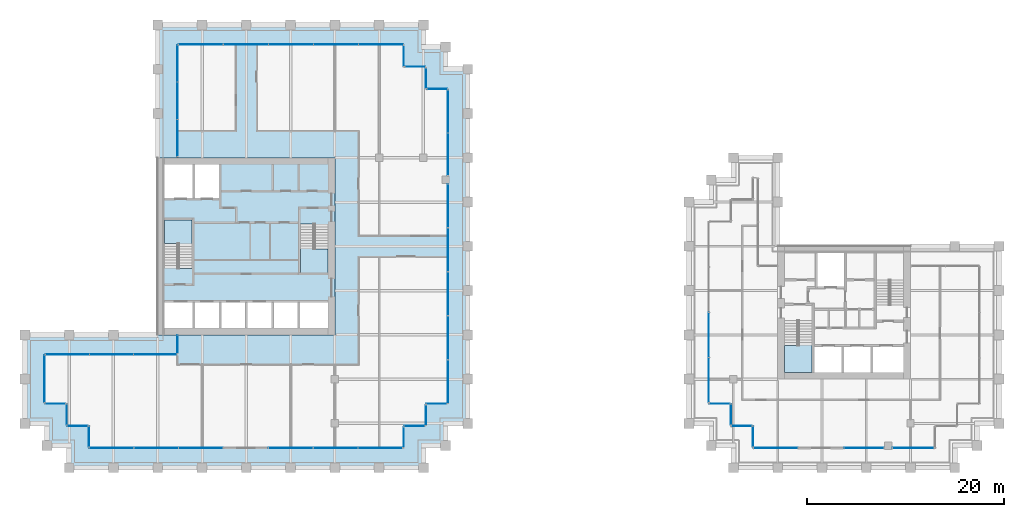
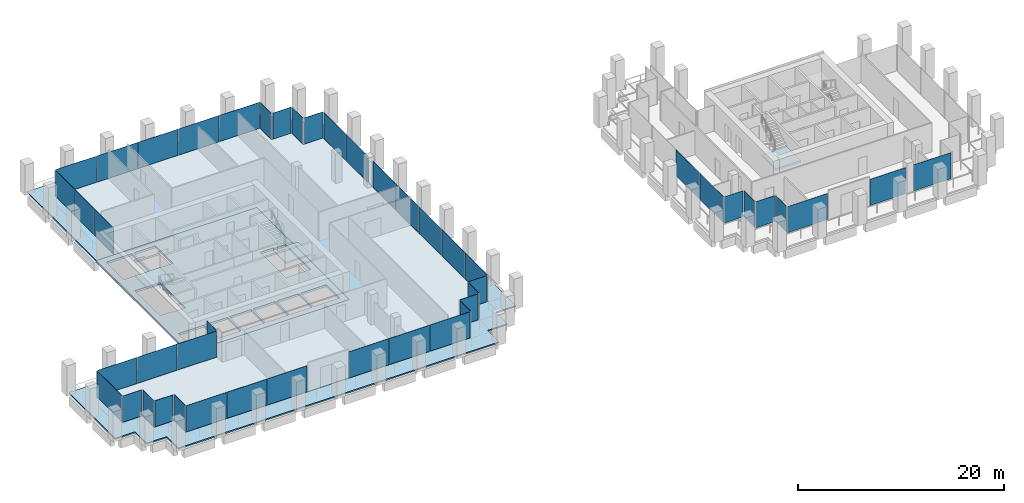
# One storey, part 39 of 46: 47 plates, 6 slabs, 32 elements without a shape of their own.
"""IFC4 building model written with IfcOpenShell, lengths in metres."""

from ifc_helpers import new_model, si_unit, direction, frame, origin, origin_2d, place, context, subcontext, project, spatial, polyline, rectangle, outline, extrude, material, layer, layer_set, type_object, element, aggregate, save


model = new_model("IFC4")

# Units and contexts
model_context = context("Model", 3, precision=1e-05, world=origin(), true_north=direction((0.0, 1.0)))
body_context = subcontext(model_context, "Body", "Model", "MODEL_VIEW")
ifc_project = project(units=[si_unit("LENGTHUNIT", "METRE"), si_unit("AREAUNIT", "SQUARE_METRE"), si_unit("VOLUMEUNIT", "CUBIC_METRE"), si_unit("PLANEANGLEUNIT", "RADIAN"), si_unit("MASSUNIT", "GRAM", prefix="KILO")], contexts=[model_context])

# Site, building, storey
site_placement = place(None, origin())
site = spatial("IfcSite", under=ifc_project, at=site_placement, CompositionType="ELEMENT")
building_placement = place(site_placement, origin())
building = spatial("IfcBuilding", under=site, at=building_placement, Name="Altepetl Exchange Towers", CompositionType="ELEMENT")
storey_placement = place(building_placement, frame((0.0, 0.0, 106.39990234375)))
storey = spatial("IfcBuildingStorey", under=building, at=storey_placement, Name="L26", CompositionType="ELEMENT", Elevation=106.39990234375)

# Slabs
ifc_material_1 = material(Name="Concrete C40/50", Category="concrete")
ifc_layer_1 = layer(ifc_material_1, 0.14990234375)
ifc_layer_set_1 = layer_set([ifc_layer_1], Name="Concrete C40/50")
slab_type_1 = type_object("IfcSlabType", Name="Composite floor slab 150", PredefinedType="FLOOR", material=ifc_layer_set_1)
slab_1_placement = place(storey_placement, frame((0.0, 0.0, -0.14990234375)))
element("IfcSlab", 1, at=slab_1_placement, inside=storey, type_object=slab_type_1, Name="slab:A:L26:strip0", PredefinedType="FLOOR", context=body_context, shape_type="SweptSolid", body=[
    extrude(outline(polyline([(42.5, 70.0), (42.5, 58.5), (58.5, 58.5), (58.5, 40.5), (42.5, 40.5), (42.5, 38.5), (29.0, 38.5), (29.0, 33.5), (31.25, 33.5), (31.25, 31.25), (33.5, 31.25), (33.5, 29.0), (65.5, 29.0), (65.5, 31.25), (67.75, 31.25), (67.75, 33.5), (70.0, 33.5), (70.0, 65.5), (67.75, 65.5), (67.75, 67.75), (65.5, 67.75), (65.5, 70.0), (42.5, 70.0)])), origin(), (0.0, 0.0, 1.0), 0.14990234375),
])
ifc_layer_2 = layer(ifc_material_1, 0.25)
ifc_layer_set_2 = layer_set([ifc_layer_2], Name="Concrete C40/50")
slab_type_2 = type_object("IfcSlabType", Name="Core floor slab 250", PredefinedType="FLOOR", material=ifc_layer_set_2)
slab_2_placement = place(storey_placement, frame((0.0, 0.0, -0.25)))
element("IfcSlab", 2, at=slab_2_placement, inside=storey, type_object=slab_type_2, Name="slab:A:L26:core0", PredefinedType="FLOOR", context=body_context, shape_type="SweptSolid", body=[
    extrude(outline(polyline([(40.5, 40.5), (58.5, 40.5), (58.5, 58.5), (40.5, 58.5), (40.5, 40.5)]), holes=[polyline([(41.199951171875, 43.800048828125), (44.06689453125, 43.800048828125), (44.06689453125, 41.199951171875), (41.199951171875, 41.199951171875), (41.199951171875, 43.800048828125)]), polyline([(44.26708984375, 43.800048828125), (46.73291015625, 43.800048828125), (46.73291015625, 41.199951171875), (44.26708984375, 41.199951171875), (44.26708984375, 43.800048828125)]), polyline([(46.93310546875, 43.800048828125), (49.39990234375, 43.800048828125), (49.39990234375, 41.199951171875), (46.93310546875, 41.199951171875), (46.93310546875, 43.800048828125)]), polyline([(52.06689453125, 43.800048828125), (52.06689453125, 41.199951171875), (49.60009765625, 41.199951171875), (49.60009765625, 43.800048828125), (52.06689453125, 43.800048828125)]), polyline([(54.73291015625, 43.800048828125), (54.73291015625, 41.199951171875), (52.26708984375, 41.199951171875), (52.26708984375, 43.800048828125), (54.73291015625, 43.800048828125)]), polyline([(54.93310546875, 43.800048828125), (57.800048828125, 43.800048828125), (57.800048828125, 41.199951171875), (54.93310546875, 41.199951171875), (54.93310546875, 43.800048828125)]), polyline([(55.0, 51.7490234375), (56.449951171875, 51.7490234375), (56.449951171875, 51.64990234375), (57.800048828125, 51.64990234375), (57.800048828125, 46.800048828125), (55.0, 46.800048828125), (55.0, 51.7490234375)]), polyline([(44.0, 47.2509765625), (42.550048828125, 47.2509765625), (42.550048828125, 47.35009765625), (41.199951171875, 47.35009765625), (41.199951171875, 52.199951171875), (44.0, 52.199951171875), (44.0, 47.2509765625)]), polyline([(44.06689453125, 57.800048828125), (44.06689453125, 54.39990234375), (41.199951171875, 54.39990234375), (41.199951171875, 57.800048828125), (44.06689453125, 57.800048828125)]), polyline([(46.73291015625, 57.800048828125), (46.73291015625, 54.39990234375), (44.26708984375, 54.39990234375), (44.26708984375, 57.800048828125), (46.73291015625, 57.800048828125)])]), origin(), (0.0, 0.0, 1.0), 0.25),
])

# Curtain wall, plate
ifc_material_2 = material(Name="Aluminium 6063-T6 glazing", Category="aluminium")
curtain_wall_type = type_object("IfcCurtainWallType", Name="Loggia glazing system", PredefinedType="NOTDEFINED", material=ifc_material_2)
curtain_wall_1_placement = place(storey_placement, origin())
curtain_wall_1 = element("IfcCurtainWall", 3, at=curtain_wall_1_placement, inside=storey, type_object=curtain_wall_type, Name="CW1 run", PredefinedType="NOTDEFINED")
ifc_material_3 = material(Name="Glass 6-16-6 low emissivity", Category="glass")
ifc_layer_3 = layer(ifc_material_3, 0.028076171875)
ifc_layer_set_3 = layer_set([ifc_layer_3], Name="Glass 6-16-6 low emissivity")
plate_type = type_object("IfcPlateType", Name="Glass panel 28 double glazed", PredefinedType="CURTAIN_PANEL", material=ifc_layer_set_3)
plate_1_placement = place(storey_placement, frame((42.5, 39.53759765625, 0.0), z_axis=(0.0, 0.0, 1.0), x_axis=(0.0, -1.0, 0.0)))
plate_1 = element("IfcPlate", 4, at=plate_1_placement, type_object=plate_type, Name="GP1 panel", PredefinedType="CURTAIN_PANEL", context=body_context, shape_type="SweptSolid", body=[
    extrude(rectangle(XDim=1.804931640625, YDim=0.028076171875, at=origin_2d()), origin(), (0.0, 0.0, 1.0), 3.10009765625),
])
aggregate(curtain_wall_1, [plate_1])

# Curtain wall, plates
curtain_wall_2_placement = place(storey_placement, origin())
curtain_wall_2 = element("IfcCurtainWall", 5, at=curtain_wall_2_placement, inside=storey, type_object=curtain_wall_type, Name="CW1 run", PredefinedType="NOTDEFINED")
plate_2_placement = place(storey_placement, frame((40.24755859375, 38.5, 0.0), z_axis=(0.0, 0.0, 1.0), x_axis=(-1.0, 0.0, 0.0)))
plate_2 = element("IfcPlate", 6, at=plate_2_placement, type_object=plate_type, Name="GP1 panel", PredefinedType="CURTAIN_PANEL", context=body_context, shape_type="SweptSolid", body=[
    extrude(rectangle(XDim=4.385009765625, YDim=0.028076171875, at=origin_2d()), origin(), (0.0, 0.0, 1.0), 3.10009765625),
])
plate_3_placement = place(storey_placement, frame((35.78759765625, 38.5, 0.0), z_axis=(0.0, 0.0, 1.0), x_axis=(-1.0, 0.0, 0.0)))
plate_3 = element("IfcPlate", 7, at=plate_3_placement, type_object=plate_type, Name="GP1 panel", PredefinedType="CURTAIN_PANEL", context=body_context, shape_type="SweptSolid", body=[
    extrude(rectangle(XDim=4.4150390625, YDim=0.028076171875, at=origin_2d()), origin(), (0.0, 0.0, 1.0), 3.10009765625),
])
plate_4_placement = place(storey_placement, frame((31.327392578125, 38.5, 0.0), z_axis=(0.0, 0.0, 1.0), x_axis=(-1.0, 0.0, 0.0)))
plate_4 = element("IfcPlate", 8, at=plate_4_placement, type_object=plate_type, Name="GP1 panel", PredefinedType="CURTAIN_PANEL", context=body_context, shape_type="SweptSolid", body=[
    extrude(rectangle(XDim=4.385009765625, YDim=0.028076171875, at=origin_2d()), origin(), (0.0, 0.0, 1.0), 3.10009765625),
])
aggregate(curtain_wall_2, [plate_2, plate_3, plate_4])

# Curtain wall, plate
curtain_wall_3_placement = place(storey_placement, origin())
curtain_wall_3 = element("IfcCurtainWall", 9, at=curtain_wall_3_placement, inside=storey, type_object=curtain_wall_type, Name="CW1 run", PredefinedType="NOTDEFINED")
plate_5_placement = place(storey_placement, frame((29.0, 36.03759765625, 0.0), z_axis=(0.0, 0.0, 1.0), x_axis=(0.0, -1.0, 0.0)))
plate_5 = element("IfcPlate", 10, at=plate_5_placement, type_object=plate_type, Name="GP1 panel", PredefinedType="CURTAIN_PANEL", context=body_context, shape_type="SweptSolid", body=[
    extrude(rectangle(XDim=4.804931640625, YDim=0.028076171875, at=origin_2d()), origin(), (0.0, 0.0, 1.0), 3.10009765625),
])
aggregate(curtain_wall_3, [plate_5])

curtain_wall_4_placement = place(storey_placement, origin())
curtain_wall_4 = element("IfcCurtainWall", 11, at=curtain_wall_4_placement, inside=storey, type_object=curtain_wall_type, Name="CW1 run", PredefinedType="NOTDEFINED")
plate_6_placement = place(storey_placement, frame((30.08740234375, 33.5, 0.0)))
plate_6 = element("IfcPlate", 12, at=plate_6_placement, type_object=plate_type, Name="GP1 panel", PredefinedType="CURTAIN_PANEL", context=body_context, shape_type="SweptSolid", body=[
    extrude(rectangle(XDim=2.054931640625, YDim=0.028076171875, at=origin_2d()), origin(), (0.0, 0.0, 1.0), 3.10009765625),
])
aggregate(curtain_wall_4, [plate_6])

curtain_wall_5_placement = place(storey_placement, origin())
curtain_wall_5 = element("IfcCurtainWall", 13, at=curtain_wall_5_placement, inside=storey, type_object=curtain_wall_type, Name="CW1 run", PredefinedType="NOTDEFINED")
plate_7_placement = place(storey_placement, frame((31.25, 32.41259765625, 0.0), z_axis=(0.0, 0.0, 1.0), x_axis=(0.0, -1.0, 0.0)))
plate_7 = element("IfcPlate", 14, at=plate_7_placement, type_object=plate_type, Name="GP1 panel", PredefinedType="CURTAIN_PANEL", context=body_context, shape_type="SweptSolid", body=[
    extrude(rectangle(XDim=2.054931640625, YDim=0.028076171875, at=origin_2d()), origin(), (0.0, 0.0, 1.0), 3.10009765625),
])
aggregate(curtain_wall_5, [plate_7])

curtain_wall_6_placement = place(storey_placement, origin())
curtain_wall_6 = element("IfcCurtainWall", 15, at=curtain_wall_6_placement, inside=storey, type_object=curtain_wall_type, Name="CW1 run", PredefinedType="NOTDEFINED")
plate_8_placement = place(storey_placement, frame((32.33740234375, 31.25, 0.0)))
plate_8 = element("IfcPlate", 16, at=plate_8_placement, type_object=plate_type, Name="GP1 panel", PredefinedType="CURTAIN_PANEL", context=body_context, shape_type="SweptSolid", body=[
    extrude(rectangle(XDim=2.054931640625, YDim=0.028076171875, at=origin_2d()), origin(), (0.0, 0.0, 1.0), 3.10009765625),
])
aggregate(curtain_wall_6, [plate_8])

curtain_wall_7_placement = place(storey_placement, origin())
curtain_wall_7 = element("IfcCurtainWall", 17, at=curtain_wall_7_placement, inside=storey, type_object=curtain_wall_type, Name="CW1 run", PredefinedType="NOTDEFINED")
plate_9_placement = place(storey_placement, frame((33.5, 30.16259765625, 0.0), z_axis=(0.0, 0.0, 1.0), x_axis=(0.0, -1.0, 0.0)))
plate_9 = element("IfcPlate", 18, at=plate_9_placement, type_object=plate_type, Name="GP1 panel", PredefinedType="CURTAIN_PANEL", context=body_context, shape_type="SweptSolid", body=[
    extrude(rectangle(XDim=2.054931640625, YDim=0.028076171875, at=origin_2d()), origin(), (0.0, 0.0, 1.0), 3.10009765625),
])
aggregate(curtain_wall_7, [plate_9])

# Curtain wall, plates
curtain_wall_8_placement = place(storey_placement, origin())
curtain_wall_8 = element("IfcCurtainWall", 19, at=curtain_wall_8_placement, inside=storey, type_object=curtain_wall_type, Name="CW1 run", PredefinedType="NOTDEFINED")
plate_10_placement = place(storey_placement, frame((35.79541015625, 29.0, 0.0)))
plate_10 = element("IfcPlate", 20, at=plate_10_placement, type_object=plate_type, Name="GP1 panel", PredefinedType="CURTAIN_PANEL", context=body_context, shape_type="SweptSolid", body=[
    extrude(rectangle(XDim=4.470703125, YDim=0.028076171875, at=origin_2d()), origin(), (0.0, 0.0, 1.0), 3.10009765625),
])
plate_11_placement = place(storey_placement, frame((40.341064453125, 29.0, 0.0)))
plate_11 = element("IfcPlate", 21, at=plate_11_placement, type_object=plate_type, Name="GP1 panel", PredefinedType="CURTAIN_PANEL", context=body_context, shape_type="SweptSolid", body=[
    extrude(rectangle(XDim=4.500732421875, YDim=0.028076171875, at=origin_2d()), origin(), (0.0, 0.0, 1.0), 3.10009765625),
])
plate_12_placement = place(storey_placement, frame((44.88671875, 29.0, 0.0)))
plate_12 = element("IfcPlate", 22, at=plate_12_placement, type_object=plate_type, Name="GP1 panel", PredefinedType="CURTAIN_PANEL", context=body_context, shape_type="SweptSolid", body=[
    extrude(rectangle(XDim=4.470703125, YDim=0.028076171875, at=origin_2d()), origin(), (0.0, 0.0, 1.0), 3.10009765625),
])
aggregate(curtain_wall_8, [plate_10, plate_11, plate_12])

curtain_wall_9_placement = place(storey_placement, origin())
curtain_wall_9 = element("IfcCurtainWall", 23, at=curtain_wall_9_placement, inside=storey, type_object=curtain_wall_type, Name="CW1 run", PredefinedType="NOTDEFINED")
plate_13_placement = place(storey_placement, frame((54.038330078125, 29.0, 0.0)))
plate_13 = element("IfcPlate", 24, at=plate_13_placement, type_object=plate_type, Name="GP1 panel", PredefinedType="CURTAIN_PANEL", context=body_context, shape_type="SweptSolid", body=[
    extrude(rectangle(XDim=4.470703125, YDim=0.028076171875, at=origin_2d()), origin(), (0.0, 0.0, 1.0), 3.10009765625),
])
plate_14_placement = place(storey_placement, frame((58.583984375, 29.0, 0.0)))
plate_14 = element("IfcPlate", 25, at=plate_14_placement, type_object=plate_type, Name="GP1 panel", PredefinedType="CURTAIN_PANEL", context=body_context, shape_type="SweptSolid", body=[
    extrude(rectangle(XDim=4.500732421875, YDim=0.028076171875, at=origin_2d()), origin(), (0.0, 0.0, 1.0), 3.10009765625),
])
plate_15_placement = place(storey_placement, frame((63.129638671875, 29.0, 0.0)))
plate_15 = element("IfcPlate", 26, at=plate_15_placement, type_object=plate_type, Name="GP1 panel", PredefinedType="CURTAIN_PANEL", context=body_context, shape_type="SweptSolid", body=[
    extrude(rectangle(XDim=4.470703125, YDim=0.028076171875, at=origin_2d()), origin(), (0.0, 0.0, 1.0), 3.10009765625),
])
aggregate(curtain_wall_9, [plate_13, plate_14, plate_15])

# Curtain wall, plate
curtain_wall_10_placement = place(storey_placement, origin())
curtain_wall_10 = element("IfcCurtainWall", 27, at=curtain_wall_10_placement, inside=storey, type_object=curtain_wall_type, Name="CW1 run", PredefinedType="NOTDEFINED")
plate_16_placement = place(storey_placement, frame((65.5, 30.08740234375, 0.0), z_axis=(0.0, 0.0, 1.0), x_axis=(0.0, 1.0, 0.0)))
plate_16 = element("IfcPlate", 28, at=plate_16_placement, type_object=plate_type, Name="GP1 panel", PredefinedType="CURTAIN_PANEL", context=body_context, shape_type="SweptSolid", body=[
    extrude(rectangle(XDim=2.054931640625, YDim=0.028076171875, at=origin_2d()), origin(), (0.0, 0.0, 1.0), 3.10009765625),
])
aggregate(curtain_wall_10, [plate_16])

curtain_wall_11_placement = place(storey_placement, origin())
curtain_wall_11 = element("IfcCurtainWall", 29, at=curtain_wall_11_placement, inside=storey, type_object=curtain_wall_type, Name="CW1 run", PredefinedType="NOTDEFINED")
plate_17_placement = place(storey_placement, frame((66.58740234375, 31.25, 0.0)))
plate_17 = element("IfcPlate", 30, at=plate_17_placement, type_object=plate_type, Name="GP1 panel", PredefinedType="CURTAIN_PANEL", context=body_context, shape_type="SweptSolid", body=[
    extrude(rectangle(XDim=2.054931640625, YDim=0.028076171875, at=origin_2d()), origin(), (0.0, 0.0, 1.0), 3.10009765625),
])
aggregate(curtain_wall_11, [plate_17])

curtain_wall_12_placement = place(storey_placement, origin())
curtain_wall_12 = element("IfcCurtainWall", 31, at=curtain_wall_12_placement, inside=storey, type_object=curtain_wall_type, Name="CW1 run", PredefinedType="NOTDEFINED")
plate_18_placement = place(storey_placement, frame((67.75, 32.33740234375, 0.0), z_axis=(0.0, 0.0, 1.0), x_axis=(0.0, 1.0, 0.0)))
plate_18 = element("IfcPlate", 32, at=plate_18_placement, type_object=plate_type, Name="GP1 panel", PredefinedType="CURTAIN_PANEL", context=body_context, shape_type="SweptSolid", body=[
    extrude(rectangle(XDim=2.054931640625, YDim=0.028076171875, at=origin_2d()), origin(), (0.0, 0.0, 1.0), 3.10009765625),
])
aggregate(curtain_wall_12, [plate_18])

curtain_wall_13_placement = place(storey_placement, origin())
curtain_wall_13 = element("IfcCurtainWall", 33, at=curtain_wall_13_placement, inside=storey, type_object=curtain_wall_type, Name="CW1 run", PredefinedType="NOTDEFINED")
plate_19_placement = place(storey_placement, frame((68.83740234375, 33.5, 0.0)))
plate_19 = element("IfcPlate", 34, at=plate_19_placement, type_object=plate_type, Name="GP1 panel", PredefinedType="CURTAIN_PANEL", context=body_context, shape_type="SweptSolid", body=[
    extrude(rectangle(XDim=2.054931640625, YDim=0.028076171875, at=origin_2d()), origin(), (0.0, 0.0, 1.0), 3.10009765625),
])
aggregate(curtain_wall_13, [plate_19])

# Curtain wall, plates
curtain_wall_14_placement = place(storey_placement, origin())
curtain_wall_14 = element("IfcCurtainWall", 35, at=curtain_wall_14_placement, inside=storey, type_object=curtain_wall_type, Name="CW1 run", PredefinedType="NOTDEFINED")
plate_20_placement = place(storey_placement, frame((70.0, 35.75048828125, 0.0), z_axis=(0.0, 0.0, 1.0), x_axis=(0.0, 1.0, 0.0)))
plate_20 = element("IfcPlate", 36, at=plate_20_placement, type_object=plate_type, Name="GP1 panel", PredefinedType="CURTAIN_PANEL", context=body_context, shape_type="SweptSolid", body=[
    extrude(rectangle(XDim=4.381103515625, YDim=0.028076171875, at=origin_2d()), origin(), (0.0, 0.0, 1.0), 3.10009765625),
])
plate_21_placement = place(storey_placement, frame((70.0, 40.20654296875, 0.0), z_axis=(0.0, 0.0, 1.0), x_axis=(0.0, 1.0, 0.0)))
plate_21 = element("IfcPlate", 37, at=plate_21_placement, type_object=plate_type, Name="GP1 panel", PredefinedType="CURTAIN_PANEL", context=body_context, shape_type="SweptSolid", body=[
    extrude(rectangle(XDim=4.410888671875, YDim=0.028076171875, at=origin_2d()), origin(), (0.0, 0.0, 1.0), 3.10009765625),
])
plate_22_placement = place(storey_placement, frame((70.0, 44.677490234375, 0.0), z_axis=(0.0, 0.0, 1.0), x_axis=(0.0, 1.0, 0.0)))
plate_22 = element("IfcPlate", 38, at=plate_22_placement, type_object=plate_type, Name="GP1 panel", PredefinedType="CURTAIN_PANEL", context=body_context, shape_type="SweptSolid", body=[
    extrude(rectangle(XDim=4.410888671875, YDim=0.028076171875, at=origin_2d()), origin(), (0.0, 0.0, 1.0), 3.10009765625),
])
plate_23_placement = place(storey_placement, frame((70.0, 49.1484375, 0.0), z_axis=(0.0, 0.0, 1.0), x_axis=(0.0, 1.0, 0.0)))
plate_23 = element("IfcPlate", 39, at=plate_23_placement, type_object=plate_type, Name="GP1 panel", PredefinedType="CURTAIN_PANEL", context=body_context, shape_type="SweptSolid", body=[
    extrude(rectangle(XDim=4.410888671875, YDim=0.028076171875, at=origin_2d()), origin(), (0.0, 0.0, 1.0), 3.10009765625),
])
plate_24_placement = place(storey_placement, frame((70.0, 53.6044921875, 0.0), z_axis=(0.0, 0.0, 1.0), x_axis=(0.0, 1.0, 0.0)))
plate_24 = element("IfcPlate", 40, at=plate_24_placement, type_object=plate_type, Name="GP1 panel", PredefinedType="CURTAIN_PANEL", context=body_context, shape_type="SweptSolid", body=[
    extrude(rectangle(XDim=4.381103515625, YDim=0.028076171875, at=origin_2d()), origin(), (0.0, 0.0, 1.0), 3.10009765625),
])
aggregate(curtain_wall_14, [plate_20, plate_21, plate_22, plate_23, plate_24])

curtain_wall_15_placement = place(storey_placement, origin())
curtain_wall_15 = element("IfcCurtainWall", 41, at=curtain_wall_15_placement, inside=storey, type_object=curtain_wall_type, Name="CW1 run", PredefinedType="NOTDEFINED")
plate_25_placement = place(storey_placement, frame((70.0, 58.85498046875, 0.0), z_axis=(0.0, 0.0, 1.0), x_axis=(0.0, 1.0, 0.0)))
plate_25 = element("IfcPlate", 42, at=plate_25_placement, type_object=plate_type, Name="GP1 panel", PredefinedType="CURTAIN_PANEL", context=body_context, shape_type="SweptSolid", body=[
    extrude(rectangle(XDim=4.300048828125, YDim=0.028076171875, at=origin_2d()), origin(), (0.0, 0.0, 1.0), 3.10009765625),
])
plate_26_placement = place(storey_placement, frame((70.0, 63.215087890625, 0.0), z_axis=(0.0, 0.0, 1.0), x_axis=(0.0, 1.0, 0.0)))
plate_26 = element("IfcPlate", 43, at=plate_26_placement, type_object=plate_type, Name="GP1 panel", PredefinedType="CURTAIN_PANEL", context=body_context, shape_type="SweptSolid", body=[
    extrude(rectangle(XDim=4.300048828125, YDim=0.028076171875, at=origin_2d()), origin(), (0.0, 0.0, 1.0), 3.10009765625),
])
aggregate(curtain_wall_15, [plate_25, plate_26])

# Curtain wall, plate
curtain_wall_16_placement = place(storey_placement, origin())
curtain_wall_16 = element("IfcCurtainWall", 44, at=curtain_wall_16_placement, inside=storey, type_object=curtain_wall_type, Name="CW1 run", PredefinedType="NOTDEFINED")
plate_27_placement = place(storey_placement, frame((68.91259765625, 65.5, 0.0), z_axis=(0.0, 0.0, 1.0), x_axis=(-1.0, 0.0, 0.0)))
plate_27 = element("IfcPlate", 45, at=plate_27_placement, type_object=plate_type, Name="GP1 panel", PredefinedType="CURTAIN_PANEL", context=body_context, shape_type="SweptSolid", body=[
    extrude(rectangle(XDim=2.054931640625, YDim=0.028076171875, at=origin_2d()), origin(), (0.0, 0.0, 1.0), 3.10009765625),
])
aggregate(curtain_wall_16, [plate_27])

curtain_wall_17_placement = place(storey_placement, origin())
curtain_wall_17 = element("IfcCurtainWall", 46, at=curtain_wall_17_placement, inside=storey, type_object=curtain_wall_type, Name="CW1 run", PredefinedType="NOTDEFINED")
plate_28_placement = place(storey_placement, frame((67.75, 66.58740234375, 0.0), z_axis=(0.0, 0.0, 1.0), x_axis=(0.0, 1.0, 0.0)))
plate_28 = element("IfcPlate", 47, at=plate_28_placement, type_object=plate_type, Name="GP1 panel", PredefinedType="CURTAIN_PANEL", context=body_context, shape_type="SweptSolid", body=[
    extrude(rectangle(XDim=2.054931640625, YDim=0.028076171875, at=origin_2d()), origin(), (0.0, 0.0, 1.0), 3.10009765625),
])
aggregate(curtain_wall_17, [plate_28])

curtain_wall_18_placement = place(storey_placement, origin())
curtain_wall_18 = element("IfcCurtainWall", 48, at=curtain_wall_18_placement, inside=storey, type_object=curtain_wall_type, Name="CW1 run", PredefinedType="NOTDEFINED")
plate_29_placement = place(storey_placement, frame((66.66259765625, 67.75, 0.0), z_axis=(0.0, 0.0, 1.0), x_axis=(-1.0, 0.0, 0.0)))
plate_29 = element("IfcPlate", 49, at=plate_29_placement, type_object=plate_type, Name="GP1 panel", PredefinedType="CURTAIN_PANEL", context=body_context, shape_type="SweptSolid", body=[
    extrude(rectangle(XDim=2.054931640625, YDim=0.028076171875, at=origin_2d()), origin(), (0.0, 0.0, 1.0), 3.10009765625),
])
aggregate(curtain_wall_18, [plate_29])

curtain_wall_19_placement = place(storey_placement, origin())
curtain_wall_19 = element("IfcCurtainWall", 50, at=curtain_wall_19_placement, inside=storey, type_object=curtain_wall_type, Name="CW1 run", PredefinedType="NOTDEFINED")
plate_30_placement = place(storey_placement, frame((65.5, 68.83740234375, 0.0), z_axis=(0.0, 0.0, 1.0), x_axis=(0.0, 1.0, 0.0)))
plate_30 = element("IfcPlate", 51, at=plate_30_placement, type_object=plate_type, Name="GP1 panel", PredefinedType="CURTAIN_PANEL", context=body_context, shape_type="SweptSolid", body=[
    extrude(rectangle(XDim=2.054931640625, YDim=0.028076171875, at=origin_2d()), origin(), (0.0, 0.0, 1.0), 3.10009765625),
])
aggregate(curtain_wall_19, [plate_30])

# Curtain wall, plates
curtain_wall_20_placement = place(storey_placement, origin())
curtain_wall_20 = element("IfcCurtainWall", 52, at=curtain_wall_20_placement, inside=storey, type_object=curtain_wall_type, Name="CW1 run", PredefinedType="NOTDEFINED")
plate_31_placement = place(storey_placement, frame((63.1923828125, 70.0, 0.0), z_axis=(0.0, 0.0, 1.0), x_axis=(-1.0, 0.0, 0.0)))
plate_31 = element("IfcPlate", 53, at=plate_31_placement, type_object=plate_type, Name="GP1 panel", PredefinedType="CURTAIN_PANEL", context=body_context, shape_type="SweptSolid", body=[
    extrude(rectangle(XDim=4.4951171875, YDim=0.028076171875, at=origin_2d()), origin(), (0.0, 0.0, 1.0), 3.10009765625),
])
plate_32_placement = place(storey_placement, frame((58.62255859375, 70.0, 0.0), z_axis=(0.0, 0.0, 1.0), x_axis=(-1.0, 0.0, 0.0)))
plate_32 = element("IfcPlate", 54, at=plate_32_placement, type_object=plate_type, Name="GP1 panel", PredefinedType="CURTAIN_PANEL", context=body_context, shape_type="SweptSolid", body=[
    extrude(rectangle(XDim=4.52490234375, YDim=0.028076171875, at=origin_2d()), origin(), (0.0, 0.0, 1.0), 3.10009765625),
])
plate_33_placement = place(storey_placement, frame((54.03759765625, 70.0, 0.0), z_axis=(0.0, 0.0, 1.0), x_axis=(-1.0, 0.0, 0.0)))
plate_33 = element("IfcPlate", 55, at=plate_33_placement, type_object=plate_type, Name="GP1 panel", PredefinedType="CURTAIN_PANEL", context=body_context, shape_type="SweptSolid", body=[
    extrude(rectangle(XDim=4.52490234375, YDim=0.028076171875, at=origin_2d()), origin(), (0.0, 0.0, 1.0), 3.10009765625),
])
plate_34_placement = place(storey_placement, frame((49.452392578125, 70.0, 0.0), z_axis=(0.0, 0.0, 1.0), x_axis=(-1.0, 0.0, 0.0)))
plate_34 = element("IfcPlate", 56, at=plate_34_placement, type_object=plate_type, Name="GP1 panel", PredefinedType="CURTAIN_PANEL", context=body_context, shape_type="SweptSolid", body=[
    extrude(rectangle(XDim=4.52490234375, YDim=0.028076171875, at=origin_2d()), origin(), (0.0, 0.0, 1.0), 3.10009765625),
])
plate_35_placement = place(storey_placement, frame((44.882568359375, 70.0, 0.0), z_axis=(0.0, 0.0, 1.0), x_axis=(-1.0, 0.0, 0.0)))
plate_35 = element("IfcPlate", 57, at=plate_35_placement, type_object=plate_type, Name="GP1 panel", PredefinedType="CURTAIN_PANEL", context=body_context, shape_type="SweptSolid", body=[
    extrude(rectangle(XDim=4.4951171875, YDim=0.028076171875, at=origin_2d()), origin(), (0.0, 0.0, 1.0), 3.10009765625),
])
aggregate(curtain_wall_20, [plate_31, plate_32, plate_33, plate_34, plate_35])

curtain_wall_21_placement = place(storey_placement, origin())
curtain_wall_21 = element("IfcCurtainWall", 58, at=curtain_wall_21_placement, inside=storey, type_object=curtain_wall_type, Name="CW1 run", PredefinedType="NOTDEFINED")
plate_36_placement = place(storey_placement, frame((42.5, 68.080810546875, 0.0), z_axis=(0.0, 0.0, 1.0), x_axis=(0.0, -1.0, 0.0)))
plate_36 = element("IfcPlate", 59, at=plate_36_placement, type_object=plate_type, Name="GP1 panel", PredefinedType="CURTAIN_PANEL", context=body_context, shape_type="SweptSolid", body=[
    extrude(rectangle(XDim=3.71826171875, YDim=0.028076171875, at=origin_2d()), origin(), (0.0, 0.0, 1.0), 3.10009765625),
])
plate_37_placement = place(storey_placement, frame((42.5, 64.28759765625, 0.0), z_axis=(0.0, 0.0, 1.0), x_axis=(0.0, -1.0, 0.0)))
plate_37 = element("IfcPlate", 60, at=plate_37_placement, type_object=plate_type, Name="GP1 panel", PredefinedType="CURTAIN_PANEL", context=body_context, shape_type="SweptSolid", body=[
    extrude(rectangle(XDim=3.748291015625, YDim=0.028076171875, at=origin_2d()), origin(), (0.0, 0.0, 1.0), 3.10009765625),
])
plate_38_placement = place(storey_placement, frame((42.5, 60.494140625, 0.0), z_axis=(0.0, 0.0, 1.0), x_axis=(0.0, -1.0, 0.0)))
plate_38 = element("IfcPlate", 61, at=plate_38_placement, type_object=plate_type, Name="GP1 panel", PredefinedType="CURTAIN_PANEL", context=body_context, shape_type="SweptSolid", body=[
    extrude(rectangle(XDim=3.71826171875, YDim=0.028076171875, at=origin_2d()), origin(), (0.0, 0.0, 1.0), 3.10009765625),
])
aggregate(curtain_wall_21, [plate_36, plate_37, plate_38])

curtain_wall_22_placement = place(storey_placement, origin())
curtain_wall_22 = element("IfcCurtainWall", 62, at=curtain_wall_22_placement, inside=storey, type_object=curtain_wall_type, Name="CW1 run", PredefinedType="NOTDEFINED")
plate_39_placement = place(storey_placement, frame((96.5, 40.484375, 0.0), z_axis=(0.0, 0.0, 1.0), x_axis=(0.0, -1.0, 0.0)))
plate_39 = element("IfcPlate", 63, at=plate_39_placement, type_object=plate_type, Name="GP1 panel", PredefinedType="CURTAIN_PANEL", context=body_context, shape_type="SweptSolid", body=[
    extrude(rectangle(XDim=4.546142578125, YDim=0.028076171875, at=origin_2d()), origin(), (0.0, 0.0, 1.0), 3.10009765625),
])
plate_40_placement = place(storey_placement, frame((96.5, 35.89306640625, 0.0), z_axis=(0.0, 0.0, 1.0), x_axis=(0.0, -1.0, 0.0)))
plate_40 = element("IfcPlate", 64, at=plate_40_placement, type_object=plate_type, Name="GP1 panel", PredefinedType="CURTAIN_PANEL", context=body_context, shape_type="SweptSolid", body=[
    extrude(rectangle(XDim=4.516357421875, YDim=0.028076171875, at=origin_2d()), origin(), (0.0, 0.0, 1.0), 3.10009765625),
])
aggregate(curtain_wall_22, [plate_39, plate_40])

# Curtain wall, plate
curtain_wall_23_placement = place(storey_placement, origin())
curtain_wall_23 = element("IfcCurtainWall", 65, at=curtain_wall_23_placement, inside=storey, type_object=curtain_wall_type, Name="CW1 run", PredefinedType="NOTDEFINED")
plate_41_placement = place(storey_placement, frame((97.58740234375, 33.5, 0.0)))
plate_41 = element("IfcPlate", 66, at=plate_41_placement, type_object=plate_type, Name="GP1 panel", PredefinedType="CURTAIN_PANEL", context=body_context, shape_type="SweptSolid", body=[
    extrude(rectangle(XDim=2.054931640625, YDim=0.028076171875, at=origin_2d()), origin(), (0.0, 0.0, 1.0), 3.10009765625),
])
aggregate(curtain_wall_23, [plate_41])

curtain_wall_24_placement = place(storey_placement, origin())
curtain_wall_24 = element("IfcCurtainWall", 67, at=curtain_wall_24_placement, inside=storey, type_object=curtain_wall_type, Name="CW1 run", PredefinedType="NOTDEFINED")
plate_42_placement = place(storey_placement, frame((98.75, 32.41259765625, 0.0), z_axis=(0.0, 0.0, 1.0), x_axis=(0.0, -1.0, 0.0)))
plate_42 = element("IfcPlate", 68, at=plate_42_placement, type_object=plate_type, Name="GP1 panel", PredefinedType="CURTAIN_PANEL", context=body_context, shape_type="SweptSolid", body=[
    extrude(rectangle(XDim=2.054931640625, YDim=0.028076171875, at=origin_2d()), origin(), (0.0, 0.0, 1.0), 3.10009765625),
])
aggregate(curtain_wall_24, [plate_42])

curtain_wall_25_placement = place(storey_placement, origin())
curtain_wall_25 = element("IfcCurtainWall", 69, at=curtain_wall_25_placement, inside=storey, type_object=curtain_wall_type, Name="CW1 run", PredefinedType="NOTDEFINED")
plate_43_placement = place(storey_placement, frame((99.83740234375, 31.25, 0.0)))
plate_43 = element("IfcPlate", 70, at=plate_43_placement, type_object=plate_type, Name="GP1 panel", PredefinedType="CURTAIN_PANEL", context=body_context, shape_type="SweptSolid", body=[
    extrude(rectangle(XDim=2.054931640625, YDim=0.028076171875, at=origin_2d()), origin(), (0.0, 0.0, 1.0), 3.10009765625),
])
aggregate(curtain_wall_25, [plate_43])

curtain_wall_26_placement = place(storey_placement, origin())
curtain_wall_26 = element("IfcCurtainWall", 71, at=curtain_wall_26_placement, inside=storey, type_object=curtain_wall_type, Name="CW1 run", PredefinedType="NOTDEFINED")
plate_44_placement = place(storey_placement, frame((101.0, 30.16259765625, 0.0), z_axis=(0.0, 0.0, 1.0), x_axis=(0.0, -1.0, 0.0)))
plate_44 = element("IfcPlate", 72, at=plate_44_placement, type_object=plate_type, Name="GP1 panel", PredefinedType="CURTAIN_PANEL", context=body_context, shape_type="SweptSolid", body=[
    extrude(rectangle(XDim=2.054931640625, YDim=0.028076171875, at=origin_2d()), origin(), (0.0, 0.0, 1.0), 3.10009765625),
])
aggregate(curtain_wall_26, [plate_44])

curtain_wall_27_placement = place(storey_placement, origin())
curtain_wall_27 = element("IfcCurtainWall", 73, at=curtain_wall_27_placement, inside=storey, type_object=curtain_wall_type, Name="CW1 run", PredefinedType="NOTDEFINED")
plate_45_placement = place(storey_placement, frame((103.30322265625, 29.0, 0.0)))
plate_45 = element("IfcPlate", 74, at=plate_45_placement, type_object=plate_type, Name="GP1 panel", PredefinedType="CURTAIN_PANEL", context=body_context, shape_type="SweptSolid", body=[
    extrude(rectangle(XDim=4.486328125, YDim=0.028076171875, at=origin_2d()), origin(), (0.0, 0.0, 1.0), 3.10009765625),
])
aggregate(curtain_wall_27, [plate_45])

curtain_wall_28_placement = place(storey_placement, origin())
curtain_wall_28 = element("IfcCurtainWall", 75, at=curtain_wall_28_placement, inside=storey, type_object=curtain_wall_type, Name="CW1 run", PredefinedType="NOTDEFINED")
plate_46_placement = place(storey_placement, frame((112.28369140625, 29.0, 0.0)))
plate_46 = element("IfcPlate", 76, at=plate_46_placement, type_object=plate_type, Name="GP1 panel", PredefinedType="CURTAIN_PANEL", context=body_context, shape_type="SweptSolid", body=[
    extrude(rectangle(XDim=4.0224609375, YDim=0.028076171875, at=origin_2d()), origin(), (0.0, 0.0, 1.0), 3.10009765625),
])
aggregate(curtain_wall_28, [plate_46])

curtain_wall_29_placement = place(storey_placement, origin())
curtain_wall_29 = element("IfcCurtainWall", 77, at=curtain_wall_29_placement, inside=storey, type_object=curtain_wall_type, Name="CW1 run", PredefinedType="NOTDEFINED")
plate_47_placement = place(storey_placement, frame((117.284912109375, 29.0, 0.0)))
plate_47 = element("IfcPlate", 78, at=plate_47_placement, type_object=plate_type, Name="GP1 panel", PredefinedType="CURTAIN_PANEL", context=body_context, shape_type="SweptSolid", body=[
    extrude(rectangle(XDim=4.159912109375, YDim=0.028076171875, at=origin_2d()), origin(), (0.0, 0.0, 1.0), 3.10009765625),
])
aggregate(curtain_wall_29, [plate_47])

# Slab
ifc_layer_4 = layer(ifc_material_1, 0.14990234375)
ifc_layer_set_4 = layer_set([ifc_layer_4], Name="Concrete C40/50")
slab_type_3 = type_object("IfcSlabType", Name="Loggia slab 150", PredefinedType="FLOOR", material=ifc_layer_set_4)
slab_3_placement = place(storey_placement, frame((0.0, 0.0, -0.14990234375)))
element("IfcSlab", 79, at=slab_3_placement, inside=storey, type_object=slab_type_3, Name="slab:A:L26:loggia0", PredefinedType="FLOOR", context=body_context, shape_type="SweptSolid", body=[
    extrude(outline(polyline([(40.5, 72.0), (40.5, 58.5), (42.5, 58.5), (42.5, 70.0), (65.5, 70.0), (65.5, 67.75), (67.75, 67.75), (67.75, 65.5), (70.0, 65.5), (70.0, 33.5), (67.75, 33.5), (67.75, 31.25), (65.5, 31.25), (65.5, 29.0), (33.5, 29.0), (33.5, 31.25), (31.25, 31.25), (31.25, 33.5), (29.0, 33.5), (29.0, 38.5), (42.5, 38.5), (42.5, 40.5), (40.5, 40.5), (27.0, 40.5), (27.0, 31.5), (29.25, 31.5), (29.25, 29.25), (31.5, 29.25), (31.5, 27.0), (58.5, 27.0), (67.5, 27.0), (67.5, 29.25), (69.75, 29.25), (69.75, 31.5), (72.0, 31.5), (72.0, 58.5), (72.0, 67.5), (69.75, 67.5), (69.75, 69.75), (67.5, 69.75), (67.5, 72.0), (40.5, 72.0)])), origin(), (0.0, 0.0, 1.0), 0.14990234375),
])

# Stair, slab
stair_type = type_object("IfcStairType", Name="Exit stair 1350 flights dogleg", PredefinedType="HALF_TURN_STAIR", material=ifc_material_1)
stair_1_placement = place(storey_placement, origin())
stair_1 = element("IfcStair", 80, at=stair_1_placement, inside=storey, type_object=stair_type, Name="Exit stair 1", PredefinedType="HALF_TURN_STAIR")
ifc_layer_5 = layer(ifc_material_1, 0.199951171875)
ifc_layer_set_5 = layer_set([ifc_layer_5], Name="Concrete C40/50")
slab_type_4 = type_object("IfcSlabType", Name="Stair landing 200 reinforced concrete", PredefinedType="LANDING", material=ifc_layer_set_5)
slab_4_placement = place(storey_placement, frame((0.0, 0.0, 1.60009765625)))
slab_4 = element("IfcSlab", 81, at=slab_4_placement, type_object=slab_type_4, Name="ST-A1d landing 1", PredefinedType="LANDING", context=body_context, shape_type="SweptSolid", body=[
    extrude(outline(polyline([(44.0, 49.669921875), (42.64990234375, 49.669921875), (42.64990234375, 49.77001953125), (42.550048828125, 49.77001953125), (42.550048828125, 49.769287109375), (41.199951171875, 49.769287109375), (41.199951171875, 49.77001953125), (41.199951171875, 52.199951171875), (44.0, 52.199951171875), (44.0, 49.77001953125), (44.0, 49.669921875)])), origin(), (0.0, 0.0, 1.0), 0.199951171875),
])
aggregate(stair_1, [slab_4])

stair_2_placement = place(storey_placement, origin())
stair_2 = element("IfcStair", 82, at=stair_2_placement, inside=storey, type_object=stair_type, Name="Exit stair 2", PredefinedType="HALF_TURN_STAIR")
slab_5_placement = place(storey_placement, frame((0.0, 0.0, 1.60009765625)))
slab_5 = element("IfcSlab", 83, at=slab_5_placement, type_object=slab_type_4, Name="ST-A2d landing 1", PredefinedType="LANDING", context=body_context, shape_type="SweptSolid", body=[
    extrude(outline(polyline([(57.800048828125, 46.800048828125), (55.0, 46.800048828125), (55.0, 49.22998046875), (55.0, 49.330078125), (56.35009765625, 49.330078125), (56.35009765625, 49.22998046875), (56.449951171875, 49.22998046875), (56.449951171875, 49.230712890625), (57.800048828125, 49.230712890625), (57.800048828125, 49.22998046875), (57.800048828125, 46.800048828125)])), origin(), (0.0, 0.0, 1.0), 0.199951171875),
])
aggregate(stair_2, [slab_5])

stair_3_placement = place(storey_placement, origin())
stair_3 = element("IfcStair", 84, at=stair_3_placement, inside=storey, type_object=stair_type, Name="Exit stair 1", PredefinedType="HALF_TURN_STAIR")
slab_6_placement = place(storey_placement, frame((0.0, 0.0, 1.60009765625)))
slab_6 = element("IfcSlab", 85, at=slab_6_placement, type_object=slab_type_4, Name="ST-B1d landing 1", PredefinedType="LANDING", context=body_context, shape_type="SweptSolid", body=[
    extrude(outline(polyline([(107.0, 36.699951171875), (104.199951171875, 36.699951171875), (104.199951171875, 39.429931640625), (104.199951171875, 39.4306640625), (105.550048828125, 39.4306640625), (105.550048828125, 39.429931640625), (105.64990234375, 39.429931640625), (105.64990234375, 39.530029296875), (107.0, 39.530029296875), (107.0, 39.429931640625), (107.0, 36.699951171875)])), origin(), (0.0, 0.0, 1.0), 0.199951171875),
])
aggregate(stair_3, [slab_6])

save(model, "model.ifc")
